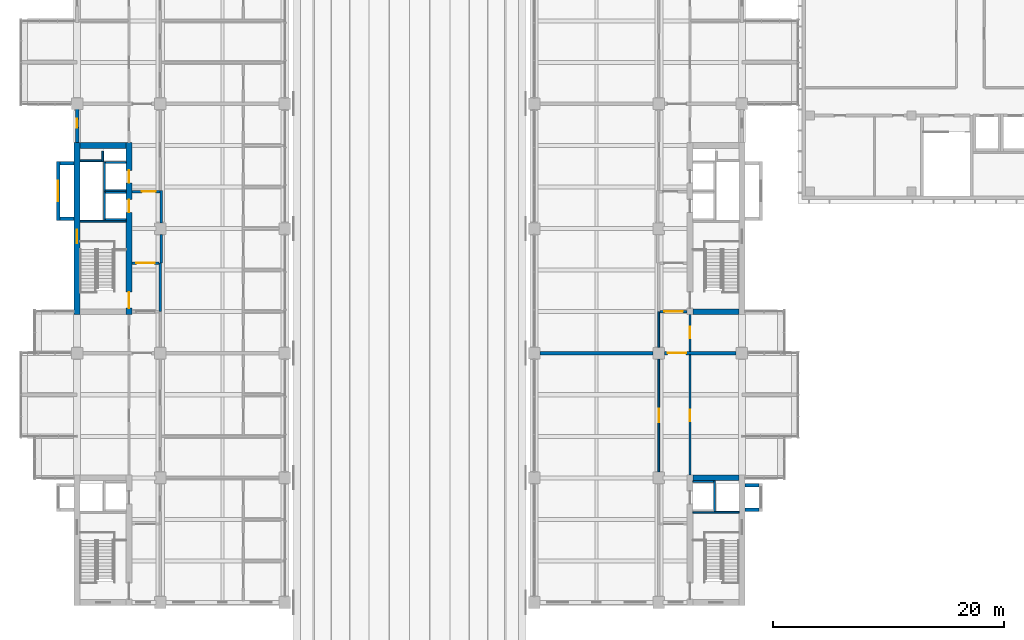
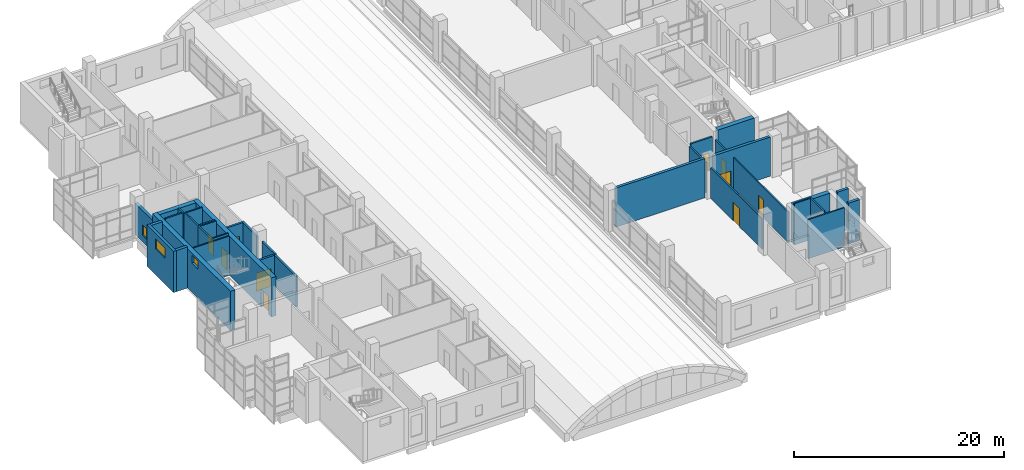
# One storey, part 32 of 45: 35 walls, 10 doors, 3 windows, 13 openings.
"""IFC4 building model written with IfcOpenShell, lengths in metres."""

from ifc_helpers import new_model, si_unit, direction, frame, frame_2d, origin, place, context, subcontext, project, spatial, rectangle, extrude, material, layer, layer_set, type_object, element, fill, save


model = new_model("IFC4")

# Units and contexts
model_context = context("Model", 3, precision=1e-05, world=origin(), true_north=direction((0.0, 1.0)))
body_context = subcontext(model_context, "Body", "Model", "MODEL_VIEW")
ifc_project = project(units=[si_unit("LENGTHUNIT", "METRE"), si_unit("AREAUNIT", "SQUARE_METRE"), si_unit("VOLUMEUNIT", "CUBIC_METRE"), si_unit("PLANEANGLEUNIT", "RADIAN"), si_unit("MASSUNIT", "GRAM", prefix="KILO")], contexts=[model_context])

# Site, building, storey
site_placement = place(None, origin())
site = spatial("IfcSite", under=ifc_project, at=site_placement, CompositionType="ELEMENT")
building_placement = place(site_placement, origin())
building = spatial("IfcBuilding", under=site, at=building_placement, Name="Basin Gate Institute", CompositionType="ELEMENT")
storey_placement = place(building_placement, frame((0.0, 0.0, 22.199951171875)))
storey = spatial("IfcBuildingStorey", under=building, at=storey_placement, Name="L04", CompositionType="ELEMENT", Elevation=22.199951171875)

# Wall, opening, door
ifc_material_1 = material(Name="Fire-rated masonry", Category="masonry")
ifc_layer_1 = layer(ifc_material_1, 0.199951171875)
ifc_layer_set_1 = layer_set([ifc_layer_1], Name="Enclosure wall PW2 200 EI 60")
wall_type_1 = type_object("IfcWallType", Name="Enclosure wall PW2 200 EI 60", PredefinedType="PARTITIONING", material=ifc_layer_set_1)
wall_1_placement = place(storey_placement, frame((65.949951171875, 64.5, 0.0), z_axis=(0.0, 0.0, 1.0), x_axis=(1.0, 0.0, 0.0)))
wall_1 = element("IfcWall", 1, at=wall_1_placement, inside=storey, type_object=wall_type_1, material=ifc_layer_set_1, Name="Smoke lobby enclosure wall PW2 L04", PredefinedType="PARTITIONING", context=body_context, shape_type="SweptSolid", body=[
    extrude(rectangle(XDim=2.35009765625, YDim=0.199951171875, at=frame_2d((1.175048828125, 0.0))), origin(), (0.0, 0.0, 1.0), 3.550048828125),
])
opening_1_placement = place(wall_1_placement, frame((0.375, 0.0, 0.0)))
opening_1 = element("IfcOpeningElement", 2, at=opening_1_placement, cuts=wall_1, Name="Opening DR241", PredefinedType="OPENING", context=body_context, shape_type="SweptSolid", body=[
    extrude(rectangle(XDim=1.60009765625, YDim=2.10009765625, at=frame_2d((0.800048828125, 1.050048828125))), frame((0.0, 0.10986328125, 0.0), z_axis=(0.0, -1.0, 0.0), x_axis=(1.0, 0.0, 0.0)), (0.0, 0.0, 1.0), 0.219970703125),
])
ifc_material_2 = material(Name="Steel fire door", Category="steel")
door_type_1 = type_object("IfcDoorType", Name="FD60 Smoke lobby door pair D8", OperationType="DOUBLE_DOOR_SINGLE_SWING", PredefinedType="DOOR", material=ifc_material_2)
door_1_placement = place(opening_1_placement, frame((1.60009765625, 0.0, 0.0), z_axis=(0.0, 0.0, 1.0), x_axis=(-1.0, 0.0, 0.0)))
door_1 = element("IfcDoor", 3, at=door_1_placement, inside=storey, type_object=door_type_1, material=ifc_material_2, Name="Smoke lobby door SS2 L04", OperationType="DOUBLE_DOOR_SINGLE_SWING", OverallHeight=2.10009765625, OverallWidth=1.60009765625, PredefinedType="DOOR", context=body_context, shape_type="SweptSolid", body=[
    extrude(rectangle(XDim=1.60009765625, YDim=2.10009765625, at=frame_2d((0.800048828125, 1.050048828125))), frame((0.0, 0.02490234375, 0.0), z_axis=(0.0, -1.0, 0.0), x_axis=(1.0, 0.0, 0.0)), (0.0, 0.0, 1.0), 0.050048828125),
])
fill(opening_1, door_1)

# Wall
wall_2_placement = place(storey_placement, frame((68.39990234375, 60.300048828125, 0.0), z_axis=(0.0, 0.0, 1.0), x_axis=(0.0, 1.0, 0.0)))
element("IfcWall", 4, at=wall_2_placement, inside=storey, type_object=wall_type_1, material=ifc_layer_set_1, Name="Smoke lobby enclosure wall PW2 L04", PredefinedType="PARTITIONING", context=body_context, shape_type="SweptSolid", body=[
    extrude(rectangle(XDim=4.199951171875, YDim=0.199951171875, at=frame_2d((2.10009765625, 0.0))), origin(), (0.0, 0.0, 1.0), 3.550048828125),
])

# Wall, opening, door
wall_3_placement = place(storey_placement, frame((65.949951171875, 70.699951171875, 0.0), z_axis=(0.0, 0.0, 1.0), x_axis=(1.0, 0.0, 0.0)))
wall_3 = element("IfcWall", 5, at=wall_3_placement, inside=storey, type_object=wall_type_1, material=ifc_layer_set_1, Name="Emergency lift lobby wall PW2 L04", PredefinedType="PARTITIONING", context=body_context, shape_type="SweptSolid", body=[
    extrude(rectangle(XDim=2.449951171875, YDim=0.199951171875, at=frame_2d((1.22509765625, 0.0))), origin(), (0.0, 0.0, 1.0), 3.550048828125),
])
opening_2_placement = place(wall_3_placement, frame((0.85009765625, 0.0, 0.0)))
opening_2 = element("IfcOpeningElement", 6, at=opening_2_placement, cuts=wall_3, Name="Opening DR238", PredefinedType="OPENING", context=body_context, shape_type="SweptSolid", body=[
    extrude(rectangle(XDim=1.199951171875, YDim=2.10009765625, at=frame_2d((0.60009765625, 1.050048828125))), frame((0.0, 0.10986328125, 0.0), z_axis=(0.0, -1.0, 0.0), x_axis=(1.0, 0.0, 0.0)), (0.0, 0.0, 1.0), 0.219970703125),
])
ifc_material_3 = material(Name="Steel fire door", Category="steel")
door_type_2 = type_object("IfcDoorType", Name="FD60 Emergency lift lobby door D9", OperationType="NOTDEFINED", PredefinedType="DOOR", material=ifc_material_3)
door_2_placement = place(opening_2_placement, frame((1.199951171875, 0.0, 0.0), z_axis=(0.0, 0.0, 1.0), x_axis=(-1.0, 0.0, 0.0)))
door_2 = element("IfcDoor", 7, at=door_2_placement, inside=storey, type_object=door_type_2, material=ifc_material_3, Name="Emergency lift lobby door LF1 L04", OperationType="SINGLE_SWING_LEFT", OverallHeight=2.10009765625, OverallWidth=1.199951171875, PredefinedType="DOOR", context=body_context, shape_type="SweptSolid", body=[
    extrude(rectangle(XDim=1.199951171875, YDim=2.10009765625, at=frame_2d((0.60009765625, 1.050048828125))), frame((0.0, 0.02490234375, 0.0), z_axis=(0.0, -1.0, 0.0), x_axis=(1.0, 0.0, 0.0)), (0.0, 0.0, 1.0), 0.050048828125),
])
fill(opening_2, door_2)

# Walls
wall_4_placement = place(storey_placement, frame((68.5, 64.5, 0.0), z_axis=(0.0, 0.0, 1.0), x_axis=(0.0, 1.0, 0.0)))
element("IfcWall", 8, at=wall_4_placement, inside=storey, type_object=wall_type_1, material=ifc_layer_set_1, Name="Emergency lift lobby wall PW2 L04", PredefinedType="PARTITIONING", context=body_context, shape_type="SweptSolid", body=[
    extrude(rectangle(XDim=2.5, YDim=0.199951171875, at=frame_2d((1.25, 0.0))), origin(), (0.0, 0.0, 1.0), 3.550048828125),
])
wall_5_placement = place(storey_placement, frame((68.5, 68.0, 0.0), z_axis=(0.0, 0.0, 1.0), x_axis=(0.0, 1.0, 0.0)))
element("IfcWall", 9, at=wall_5_placement, inside=storey, type_object=wall_type_1, material=ifc_layer_set_1, Name="Emergency lift lobby wall PW2 L04", PredefinedType="PARTITIONING", context=body_context, shape_type="SweptSolid", body=[
    extrude(rectangle(XDim=2.800048828125, YDim=0.199951171875, at=frame_2d((1.39990234375, 0.0))), origin(), (0.0, 0.0, 1.0), 3.550048828125),
])

# Wall, opening, door
wall_6_placement = place(storey_placement, frame((114.050048828125, 60.300048828125, 0.0), z_axis=(0.0, 0.0, 1.0), x_axis=(-1.0, 0.0, 0.0)))
wall_6 = element("IfcWall", 10, at=wall_6_placement, inside=storey, type_object=wall_type_1, material=ifc_layer_set_1, Name="Smoke lobby enclosure wall PW2 L04", PredefinedType="PARTITIONING", context=body_context, shape_type="SweptSolid", body=[
    extrude(rectangle(XDim=2.35009765625, YDim=0.199951171875, at=frame_2d((1.175048828125, 0.0))), origin(), (0.0, 0.0, 1.0), 3.85009765625),
])
opening_3_placement = place(wall_6_placement, frame((0.375, 0.0, 0.0)))
opening_3 = element("IfcOpeningElement", 11, at=opening_3_placement, cuts=wall_6, Name="Opening DR207", PredefinedType="OPENING", context=body_context, shape_type="SweptSolid", body=[
    extrude(rectangle(XDim=1.60009765625, YDim=2.10009765625, at=frame_2d((0.800048828125, 1.050048828125))), frame((0.0, 0.10986328125, 0.0), z_axis=(0.0, -1.0, 0.0), x_axis=(1.0, 0.0, 0.0)), (0.0, 0.0, 1.0), 0.219970703125),
])
door_3_placement = place(opening_3_placement, frame((1.60009765625, 0.0, 0.0), z_axis=(0.0, 0.0, 1.0), x_axis=(-1.0, 0.0, 0.0)))
door_3 = element("IfcDoor", 12, at=door_3_placement, inside=storey, type_object=door_type_1, material=ifc_material_2, Name="Smoke lobby door SS5 L04", OperationType="DOUBLE_DOOR_SINGLE_SWING", OverallHeight=2.10009765625, OverallWidth=1.60009765625, PredefinedType="DOOR", context=body_context, shape_type="SweptSolid", body=[
    extrude(rectangle(XDim=1.60009765625, YDim=2.10009765625, at=frame_2d((0.800048828125, 1.050048828125))), frame((0.0, 0.02490234375, 0.0), z_axis=(0.0, -1.0, 0.0), x_axis=(1.0, 0.0, 0.0)), (0.0, 0.0, 1.0), 0.050048828125),
])
fill(opening_3, door_3)

# Wall, opening, window
ifc_material_4 = material(Name="Aluminium-faced insulated panel wall", Category="aluminium")
ifc_layer_2 = layer(ifc_material_4, 0.300048828125)
ifc_layer_set_2 = layer_set([ifc_layer_2], Name="External wall EW1 EI 120")
wall_type_2 = type_object("IfcWallType", Name="External wall EW1 EI 120", PredefinedType="STANDARD", material=ifc_layer_set_2)
wall_7_placement = place(storey_placement, frame((61.199951171875, 74.949951171875, 0.0), z_axis=(0.0, 0.0, 1.0), x_axis=(0.0, 1.0, 0.0)))
wall_7 = element("IfcWall", 13, at=wall_7_placement, inside=storey, type_object=wall_type_2, material=ifc_layer_set_2, Name="External wall W facade L04 1", PredefinedType="STANDARD", context=body_context, shape_type="SweptSolid", body=[
    extrude(rectangle(XDim=3.5, YDim=0.300048828125, at=frame_2d((1.75, 0.0))), origin(), (0.0, 0.0, 1.0), 3.650146484375),
])
opening_4_placement = place(wall_7_placement, frame((1.300048828125, 0.0, 0.800048828125)))
opening_4 = element("IfcOpeningElement", 14, at=opening_4_placement, cuts=wall_7, Name="Opening WN3", PredefinedType="OPENING", context=body_context, shape_type="SweptSolid", body=[
    extrude(rectangle(XDim=0.75, YDim=1.199951171875, at=frame_2d((0.375, 0.60009765625))), frame((0.0, 0.16015625, 0.0), z_axis=(0.0, -1.0, 0.0), x_axis=(1.0, 0.0, 0.0)), (0.0, 0.0, 1.0), 0.320068359375),
])
ifc_material_5 = material(Name="Aluminium-framed double glazing", Category="aluminium")
window_type_1 = type_object("IfcWindowType", Name="Emergency entry panel WN3", PartitioningType="SINGLE_PANEL", PredefinedType="WINDOW", material=ifc_material_5)
window_1_placement = place(opening_4_placement, origin())
window_1 = element("IfcWindow", 15, at=window_1_placement, inside=storey, type_object=window_type_1, material=ifc_material_5, Name="Emergency entry panel W facade L04 bay 12", OverallHeight=1.199951171875, OverallWidth=0.75, PartitioningType="SINGLE_PANEL", PredefinedType="WINDOW", context=body_context, shape_type="SweptSolid", body=[
    extrude(rectangle(XDim=0.75, YDim=1.199951171875, at=frame_2d((0.375, 0.60009765625))), frame((0.0, 0.030029296875, 0.0), z_axis=(0.0, -1.0, 0.0), x_axis=(1.0, 0.0, 0.0)), (0.0, 0.0, 1.0), 0.06005859375),
])
fill(opening_4, window_1)

# Wall, opening, door
ifc_material_6 = material(Name="Gypsum board on steel stud", Category="steel")
ifc_layer_3 = layer(ifc_material_6, 0.14990234375)
ifc_layer_set_3 = layer_set([ifc_layer_3], Name="Gypsum board on steel stud")
wall_type_3 = type_object("IfcWallType", Name="Partition PW1 150 EI 60", PredefinedType="PARTITIONING", material=ifc_layer_set_3)
wall_8_placement = place(storey_placement, frame((114.300048828125, 46.14990234375, 0.0), z_axis=(0.0, 0.0, 1.0), x_axis=(0.0, 1.0, 0.0)))
wall_8 = element("IfcWall", 16, at=wall_8_placement, inside=storey, type_object=wall_type_3, material=ifc_layer_set_3, Name="Corridor wall PW1 L04", PredefinedType="PARTITIONING", context=body_context, shape_type="SweptSolid", body=[
    extrude(rectangle(XDim=10.400146484375, YDim=0.14990234375, at=frame_2d((5.2001953125, 0.0))), origin(), (0.0, 0.0, 1.0), 3.550048828125),
])
opening_5_placement = place(wall_8_placement, frame((4.64990234375, 0.0, 0.0)))
opening_5 = element("IfcOpeningElement", 17, at=opening_5_placement, cuts=wall_8, Name="Opening DR201", PredefinedType="OPENING", context=body_context, shape_type="SweptSolid", body=[
    extrude(rectangle(XDim=1.0, YDim=2.10009765625, at=frame_2d((0.5, 1.050048828125))), frame((0.0, 0.0849609375, 0.0), z_axis=(0.0, -1.0, 0.0), x_axis=(1.0, 0.0, 0.0)), (0.0, 0.0, 1.0), 0.169921875),
])
ifc_material_7 = material(Name="Timber fire door", Category="wood")
door_type_3 = type_object("IfcDoorType", Name="FD30 Office door D1", OperationType="NOTDEFINED", PredefinedType="DOOR", material=ifc_material_7)
door_4_placement = place(opening_5_placement, frame((1.0, 0.0, 0.0), z_axis=(0.0, 0.0, 1.0), x_axis=(-1.0, 0.0, 0.0)))
door_4 = element("IfcDoor", 18, at=door_4_placement, inside=storey, type_object=door_type_3, material=ifc_material_7, Name="Door to Library Carrel Room 0451 L04", OperationType="SINGLE_SWING_RIGHT", OverallHeight=2.10009765625, OverallWidth=1.0, PredefinedType="DOOR", context=body_context, shape_type="SweptSolid", body=[
    extrude(rectangle(XDim=1.0, YDim=2.10009765625, at=frame_2d((0.5, 1.050048828125))), frame((0.0, 0.02490234375, 0.0), z_axis=(0.0, -1.0, 0.0), x_axis=(1.0, 0.0, 0.0)), (0.0, 0.0, 1.0), 0.050048828125),
])
fill(opening_5, door_4)

wall_9_placement = place(storey_placement, frame((114.300048828125, 56.85009765625, 0.0), z_axis=(0.0, 0.0, 1.0), x_axis=(0.0, 1.0, 0.0)))
wall_9 = element("IfcWall", 19, at=wall_9_placement, inside=storey, type_object=wall_type_3, material=ifc_layer_set_3, Name="Corridor wall PW1 L04", PredefinedType="PARTITIONING", context=body_context, shape_type="SweptSolid", body=[
    extrude(rectangle(XDim=3.199951171875, YDim=0.14990234375, at=frame_2d((1.60009765625, 0.0))), origin(), (0.0, 0.0, 1.0), 3.550048828125),
])
opening_6_placement = place(wall_9_placement, frame((1.14990234375, 0.0, 0.0)))
opening_6 = element("IfcOpeningElement", 20, at=opening_6_placement, cuts=wall_9, Name="Opening DR203", PredefinedType="OPENING", context=body_context, shape_type="SweptSolid", body=[
    extrude(rectangle(XDim=1.0, YDim=2.10009765625, at=frame_2d((0.5, 1.050048828125))), frame((0.0, 0.0849609375, 0.0), z_axis=(0.0, -1.0, 0.0), x_axis=(1.0, 0.0, 0.0)), (0.0, 0.0, 1.0), 0.169921875),
])
door_5_placement = place(opening_6_placement, frame((1.0, 0.0, 0.0), z_axis=(0.0, 0.0, 1.0), x_axis=(-1.0, 0.0, 0.0)))
door_5 = element("IfcDoor", 21, at=door_5_placement, inside=storey, type_object=door_type_3, material=ifc_material_7, Name="Door to Write-up Office 0452 L04", OperationType="SINGLE_SWING_LEFT", OverallHeight=2.10009765625, OverallWidth=1.0, PredefinedType="DOOR", context=body_context, shape_type="SweptSolid", body=[
    extrude(rectangle(XDim=1.0, YDim=2.10009765625, at=frame_2d((0.5, 1.050048828125))), frame((0.0, 0.02490234375, 0.0), z_axis=(0.0, -1.0, 0.0), x_axis=(1.0, 0.0, 0.0)), (0.0, 0.0, 1.0), 0.050048828125),
])
fill(opening_6, door_5)

wall_10_placement = place(storey_placement, frame((111.60009765625, 46.39990234375, 0.0), z_axis=(0.0, 0.0, 1.0), x_axis=(0.0, 1.0, 0.0)))
wall_10 = element("IfcWall", 22, at=wall_10_placement, inside=storey, type_object=wall_type_3, material=ifc_layer_set_3, Name="Laboratory corridor wall PW1 L04", PredefinedType="PARTITIONING", context=body_context, shape_type="SweptSolid", body=[
    extrude(rectangle(XDim=9.800048828125, YDim=0.14990234375, at=frame_2d((4.89990234375, 0.0))), origin(), (0.0, 0.0, 1.0), 3.550048828125),
])
opening_7_placement = place(wall_10_placement, frame((4.300048828125, 0.0, 0.0)))
opening_7 = element("IfcOpeningElement", 23, at=opening_7_placement, cuts=wall_10, Name="Opening DR197", PredefinedType="OPENING", context=body_context, shape_type="SweptSolid", body=[
    extrude(rectangle(XDim=1.199951171875, YDim=2.10009765625, at=frame_2d((0.60009765625, 1.050048828125))), frame((0.0, 0.0849609375, 0.0), z_axis=(0.0, -1.0, 0.0), x_axis=(1.0, 0.0, 0.0)), (0.0, 0.0, 1.0), 0.169921875),
])
ifc_material_8 = material(Name="Timber fire door", Category="wood")
door_type_4 = type_object("IfcDoorType", Name="FD30 Laboratory door D2", OperationType="DOUBLE_DOOR_SINGLE_SWING", PredefinedType="DOOR", material=ifc_material_8)
door_6_placement = place(opening_7_placement, origin())
door_6 = element("IfcDoor", 24, at=door_6_placement, inside=storey, type_object=door_type_4, material=ifc_material_8, Name="Door to Dry Laboratory 0464 L04", OperationType="DOUBLE_DOOR_SINGLE_SWING", OverallHeight=2.10009765625, OverallWidth=1.199951171875, PredefinedType="DOOR", context=body_context, shape_type="SweptSolid", body=[
    extrude(rectangle(XDim=1.199951171875, YDim=2.10009765625, at=frame_2d((0.60009765625, 1.050048828125))), frame((0.0, 0.02490234375, 0.0), z_axis=(0.0, -1.0, 0.0), x_axis=(1.0, 0.0, 0.0)), (0.0, 0.0, 1.0), 0.050048828125),
])
fill(opening_7, door_6)

# Walls
wall_11_placement = place(storey_placement, frame((111.60009765625, 57.199951171875, 0.0), z_axis=(0.0, 0.0, 1.0), x_axis=(0.0, 1.0, 0.0)))
element("IfcWall", 25, at=wall_11_placement, inside=storey, type_object=wall_type_3, material=ifc_layer_set_3, Name="Laboratory corridor wall PW1 L04", PredefinedType="PARTITIONING", context=body_context, shape_type="SweptSolid", body=[
    extrude(rectangle(XDim=3.10009765625, YDim=0.14990234375, at=frame_2d((1.550048828125, 0.0))), origin(), (0.0, 0.0, 1.0), 3.550048828125),
])
ifc_material_9 = material(Name="Concrete 40 MPa", Category="concrete")
ifc_layer_4 = layer(ifc_material_9, 0.14990234375)
ifc_layer_set_4 = layer_set([ifc_layer_4], Name="Concrete 40 MPa")
wall_type_4 = type_object("IfcWallType", Name="Wall LS1 lift shaft enclosure R120", PredefinedType="SOLIDWALL", material=ifc_layer_set_4)
wall_12_placement = place(storey_placement, frame((63.574951171875, 68.199951171875, 0.0), z_axis=(0.0, 0.0, 1.0), x_axis=(0.0, 1.0, 0.0)))
element("IfcWall", 26, at=wall_12_placement, inside=storey, type_object=wall_type_4, material=ifc_layer_set_4, Name="Lift shaft enclosure LF1 L04 UL", PredefinedType="SOLIDWALL", context=body_context, shape_type="SweptSolid", body=[
    extrude(rectangle(XDim=2.5, YDim=0.14990234375, at=frame_2d((1.25, 0.0))), origin(), (0.0, 0.0, 1.0), 4.800048828125),
])
for number, where, z_axis, x_axis, name in (
    (27, (63.64990234375, 68.27490234375, 0.0), (0.0, 0.0, 1.0), (1.0, 0.0, 0.0), "Lift shaft enclosure LF1 L04 RL"),
    (28, (63.64990234375, 70.625, 0.0), (0.0, 0.0, 1.0), (1.0, 0.0, 0.0), "Lift shaft enclosure LF1 L04 RH"),
):
    element("IfcWall", number, at=place(storey_placement, frame(where, z_axis=z_axis, x_axis=x_axis)), inside=storey, type_object=wall_type_4, material=ifc_layer_set_4, Name=name, PredefinedType="SOLIDWALL", context=body_context, shape_type="SweptSolid", body=[
        extrude(rectangle(XDim=1.800048828125, YDim=0.14990234375, at=frame_2d((0.89990234375, 0.0))), origin(), (0.0, 0.0, 1.0), 4.800048828125),
    ])
wall_13_placement = place(storey_placement, frame((63.574951171875, 70.699951171875, 0.0), z_axis=(0.0, 0.0, 1.0), x_axis=(0.0, 1.0, 0.0)))
element("IfcWall", 29, at=wall_13_placement, inside=storey, type_object=wall_type_4, material=ifc_layer_set_4, Name="Lift shaft enclosure LP2 L04 UL", PredefinedType="SOLIDWALL", context=body_context, shape_type="SweptSolid", body=[
    extrude(rectangle(XDim=2.60009765625, YDim=0.14990234375, at=frame_2d((1.300048828125, 0.0))), origin(), (0.0, 0.0, 1.0), 4.800048828125),
])
for number, where, z_axis, x_axis, name in (
    (30, (63.64990234375, 70.77490234375, 0.0), (0.0, 0.0, 1.0), (1.0, 0.0, 0.0), "Lift shaft enclosure LP2 L04 RL"),
    (31, (63.64990234375, 73.22509765625, 0.0), (0.0, 0.0, 1.0), (1.0, 0.0, 0.0), "Lift shaft enclosure LP2 L04 RH"),
):
    element("IfcWall", number, at=place(storey_placement, frame(where, z_axis=z_axis, x_axis=x_axis)), inside=storey, type_object=wall_type_4, material=ifc_layer_set_4, Name=name, PredefinedType="SOLIDWALL", context=body_context, shape_type="SweptSolid", body=[
        extrude(rectangle(XDim=1.800048828125, YDim=0.14990234375, at=frame_2d((0.89990234375, 0.0))), origin(), (0.0, 0.0, 1.0), 4.800048828125),
    ])
wall_14_placement = place(storey_placement, frame((116.425048828125, 43.0, 0.0), z_axis=(0.0, 0.0, 1.0), x_axis=(0.0, 1.0, 0.0)))
element("IfcWall", 32, at=wall_14_placement, inside=storey, type_object=wall_type_4, material=ifc_layer_set_4, Name="Lift shaft enclosure LP4 L04 UL", PredefinedType="SOLIDWALL", context=body_context, shape_type="SweptSolid", body=[
    extrude(rectangle(XDim=2.64990234375, YDim=0.14990234375, at=frame_2d((1.324951171875, 0.0))), origin(), (0.0, 0.0, 1.0), 4.800048828125),
])
wall_15_placement = place(storey_placement, frame((116.35009765625, 45.574951171875, 0.0), z_axis=(0.0, 0.0, 1.0), x_axis=(-1.0, 0.0, 0.0)))
element("IfcWall", 33, at=wall_15_placement, inside=storey, type_object=wall_type_4, material=ifc_layer_set_4, Name="Lift shaft enclosure LP4 L04 RH", PredefinedType="SOLIDWALL", context=body_context, shape_type="SweptSolid", body=[
    extrude(rectangle(XDim=1.800048828125, YDim=0.14990234375, at=frame_2d((0.89990234375, 0.0))), origin(), (0.0, 0.0, 1.0), 4.800048828125),
])
ifc_material_10 = material(Name="Concrete 40 MPa", Category="concrete")
ifc_layer_5 = layer(ifc_material_10, 0.14990234375)
ifc_layer_set_5 = layer_set([ifc_layer_5], Name="Concrete 40 MPa")
wall_type_5 = type_object("IfcWallType", Name="Wall RS1 riser shaft enclosure R120", PredefinedType="SOLIDWALL", material=ifc_layer_set_5)
wall_16_placement = place(storey_placement, frame((61.449951171875, 73.375, 0.0), z_axis=(0.0, 0.0, 1.0), x_axis=(1.0, 0.0, 0.0)))
element("IfcWall", 34, at=wall_16_placement, inside=storey, type_object=wall_type_5, material=ifc_layer_set_5, Name="Riser shaft enclosure WM L04 N", PredefinedType="SOLIDWALL", context=body_context, shape_type="SweptSolid", body=[
    extrude(rectangle(XDim=1.900146484375, YDim=0.14990234375, at=frame_2d((0.9501953125, 0.0))), origin(), (0.0, 0.0, 1.0), 4.800048828125),
])
wall_17_placement = place(storey_placement, frame((63.425048828125, 73.300048828125, 0.0), z_axis=(0.0, 0.0, 1.0), x_axis=(0.0, 1.0, 0.0)))
element("IfcWall", 35, at=wall_17_placement, inside=storey, type_object=wall_type_5, material=ifc_layer_set_5, Name="Riser shaft enclosure WM L04 W", PredefinedType="SOLIDWALL", context=body_context, shape_type="SweptSolid", body=[
    extrude(rectangle(XDim=0.89990234375, YDim=0.14990234375, at=frame_2d((0.449951171875, 0.0))), origin(), (0.0, 0.0, 1.0), 4.800048828125),
])
ifc_material_11 = material(Name="Concrete 40 MPa", Category="concrete")
ifc_layer_6 = layer(ifc_material_11, 0.14990234375)
ifc_layer_set_6 = layer_set([ifc_layer_6], Name="Concrete 40 MPa")
wall_type_6 = type_object("IfcWallType", Name="Wall SE1 stair enclosure R120", PredefinedType="SOLIDWALL", material=ifc_layer_set_6)
for number, where, z_axis, x_axis, name in (
    (36, (61.449951171875, 68.125, 0.0), (0.0, 0.0, 1.0), (1.0, 0.0, 0.0), "Stair enclosure wall ST-WM L04"),
    (37, (118.550048828125, 42.925048828125, 0.0), (0.0, 0.0, 1.0), (-1.0, 0.0, 0.0), "Stair enclosure wall ST-ES L04"),
):
    element("IfcWall", number, at=place(storey_placement, frame(where, z_axis=z_axis, x_axis=x_axis)), inside=storey, type_object=wall_type_6, material=ifc_layer_set_6, Name=name, PredefinedType="SOLIDWALL", context=body_context, shape_type="SweptSolid", body=[
        extrude(rectangle(XDim=4.0, YDim=0.14990234375, at=frame_2d((2.0, 0.0))), origin(), (0.0, 0.0, 1.0), 4.550048828125),
    ])

# Wall, opening, window
ifc_material_12 = material(Name="Concrete 50 MPa", Category="concrete")
ifc_layer_7 = layer(ifc_material_12, 0.300048828125)
ifc_layer_set_7 = layer_set([ifc_layer_7], Name="Concrete 50 MPa")
wall_type_7 = type_object("IfcWallType", Name="Wall SK1 R120", PredefinedType="SHEAR", material=ifc_layer_set_7)
wall_18_placement = place(storey_placement, frame((59.550048828125, 68.199951171875, 0.0), z_axis=(0.0, 0.0, 1.0), x_axis=(0.0, 1.0, 0.0)))
wall_18 = element("IfcWall", 38, at=wall_18_placement, inside=storey, type_object=wall_type_7, material=ifc_layer_set_7, Name="Spine riser stack wall SK1 WM F L04", PredefinedType="SHEAR", context=body_context, shape_type="SweptSolid", body=[
    extrude(rectangle(XDim=5.10009765625, YDim=0.300048828125, at=frame_2d((2.550048828125, 0.0))), origin(), (0.0, 0.0, 1.0), 4.800048828125),
])
opening_8_placement = place(wall_18_placement, frame((1.64990234375, 0.0, 3.0)))
opening_8 = element("IfcOpeningElement", 39, at=opening_8_placement, cuts=wall_18, Name="Opening WL2", PredefinedType="OPENING", context=body_context, shape_type="SweptSolid", body=[
    extrude(rectangle(XDim=1.800048828125, YDim=1.199951171875, at=frame_2d((0.89990234375, 0.60009765625))), frame((0.0, 0.16015625, 0.0), z_axis=(0.0, -1.0, 0.0), x_axis=(1.0, 0.0, 0.0)), (0.0, 0.0, 1.0), 0.320068359375),
])
ifc_material_13 = material(Name="Aluminium louvre blades with fire damper", Category="aluminium")
window_type_2 = type_object("IfcWindowType", Name="Riser louvre EI 120 WL2", PartitioningType="SINGLE_PANEL", PredefinedType="WINDOW", material=ifc_material_13)
window_2_placement = place(opening_8_placement, origin())
window_2 = element("IfcWindow", 40, at=window_2_placement, inside=storey, type_object=window_type_2, material=ifc_material_13, Name="Riser louvre EI 120 WM riser 1 L04", OverallHeight=1.199951171875, OverallWidth=1.800048828125, PartitioningType="SINGLE_PANEL", PredefinedType="WINDOW", context=body_context, shape_type="SweptSolid", body=[
    extrude(rectangle(XDim=1.800048828125, YDim=1.199951171875, at=frame_2d((0.89990234375, 0.60009765625))), frame((0.0, 0.030029296875, 0.0), z_axis=(0.0, -1.0, 0.0), x_axis=(1.0, 0.0, 0.0)), (0.0, 0.0, 1.0), 0.06005859375),
])
fill(opening_8, window_2)

# Walls
for number, where, z_axis, x_axis, name in (
    (41, (60.949951171875, 68.35009765625, 0.0), (0.0, 0.0, 1.0), (-1.0, 0.0, 0.0), "Spine riser stack wall SK1 WM A L04"),
    (42, (60.949951171875, 73.14990234375, 0.0), (0.0, 0.0, 1.0), (-1.0, 0.0, 0.0), "Spine riser stack wall SK1 WM B L04"),
    (43, (119.050048828125, 43.14990234375, 0.0), (0.0, 0.0, 1.0), (1.0, 0.0, 0.0), "Spine riser stack wall SK1 ES A L04"),
    (44, (119.050048828125, 45.25, 0.0), (0.0, 0.0, 1.0), (1.0, 0.0, 0.0), "Spine riser stack wall SK1 ES B L04"),
):
    element("IfcWall", number, at=place(storey_placement, frame(where, z_axis=z_axis, x_axis=x_axis)), inside=storey, type_object=wall_type_7, material=ifc_layer_set_7, Name=name, PredefinedType="SHEAR", context=body_context, shape_type="SweptSolid", body=[
        extrude(rectangle(XDim=1.25, YDim=0.300048828125, at=frame_2d((0.625, 0.0))), origin(), (0.0, 0.0, 1.0), 4.800048828125),
    ])

# Wall, opening, window
ifc_material_14 = material(Name="Concrete 60 MPa", Category="concrete")
ifc_layer_8 = layer(ifc_material_14, 0.5)
ifc_layer_set_8 = layer_set([ifc_layer_8], Name="Concrete 60 MPa")
wall_type_8 = type_object("IfcWallType", Name="Wall SW1 R120", PredefinedType="SHEAR", material=ifc_layer_set_8)
wall_19_placement = place(storey_placement, frame((61.199951171875, 60.050048828125, 0.0), z_axis=(0.0, 0.0, 1.0), x_axis=(0.0, 1.0, 0.0)))
wall_19 = element("IfcWall", 45, at=wall_19_placement, inside=storey, type_object=wall_type_8, material=ifc_layer_set_8, Name="WALL/L04/WM/L", PredefinedType="SHEAR", context=body_context, shape_type="SweptSolid", body=[
    extrude(rectangle(XDim=14.89990234375, YDim=0.5, at=frame_2d((7.449951171875, 0.0))), origin(), (0.0, 0.0, 1.0), 4.550048828125),
])
opening_9_placement = place(wall_19_placement, frame((6.159912109375, 0.0, 3.39990234375)))
opening_9 = element("IfcOpeningElement", 46, at=opening_9_placement, cuts=wall_19, Name="Opening WT2", PredefinedType="OPENING", context=body_context, shape_type="SweptSolid", body=[
    extrude(rectangle(XDim=1.199951171875, YDim=0.89990234375, at=frame_2d((0.60009765625, 0.449951171875))), frame((0.0, 0.260009765625, 0.0), z_axis=(0.0, -1.0, 0.0), x_axis=(1.0, 0.0, 0.0)), (0.0, 0.0, 1.0), 0.52001953125),
])
ifc_material_15 = material(Name="Fire-resistant glazing in steel-free frame", Category="steel")
window_type_3 = type_object("IfcWindowType", Name="Rated stair window EI 120 WT2", PartitioningType="SINGLE_PANEL", PredefinedType="WINDOW", material=ifc_material_15)
window_3_placement = place(opening_9_placement, origin())
window_3 = element("IfcWindow", 47, at=window_3_placement, inside=storey, type_object=window_type_3, material=ifc_material_15, Name="Rated stair window EI 120 WM landing L04", OverallHeight=0.89990234375, OverallWidth=1.199951171875, PartitioningType="SINGLE_PANEL", PredefinedType="WINDOW", context=body_context, shape_type="SweptSolid", body=[
    extrude(rectangle(XDim=1.199951171875, YDim=0.89990234375, at=frame_2d((0.60009765625, 0.449951171875))), frame((0.0, 0.030029296875, 0.0), z_axis=(0.0, -1.0, 0.0), x_axis=(1.0, 0.0, 0.0)), (0.0, 0.0, 1.0), 0.06005859375),
])
fill(opening_9, window_3)

# Wall, openings, doors
wall_20_placement = place(storey_placement, frame((65.699951171875, 60.050048828125, 0.0), z_axis=(0.0, 0.0, 1.0), x_axis=(0.0, 1.0, 0.0)))
wall_20 = element("IfcWall", 48, at=wall_20_placement, inside=storey, type_object=wall_type_8, material=ifc_layer_set_8, Name="WALL/L04/WM/C", PredefinedType="SHEAR", context=body_context, shape_type="SweptSolid", body=[
    extrude(rectangle(XDim=14.89990234375, YDim=0.5, at=frame_2d((7.449951171875, 0.0))), origin(), (0.0, 0.0, 1.0), 4.550048828125),
])
opening_10_placement = place(wall_20_placement, frame((0.550048828125, 0.0, 0.0)))
opening_10 = element("IfcOpeningElement", 49, at=opening_10_placement, cuts=wall_20, Name="Opening DS026", PredefinedType="OPENING", context=body_context, shape_type="SweptSolid", body=[
    extrude(rectangle(XDim=1.39990234375, YDim=2.10009765625, at=frame_2d((0.699951171875, 1.050048828125))), frame((0.0, 0.260009765625, 0.0), z_axis=(0.0, -1.0, 0.0), x_axis=(1.0, 0.0, 0.0)), (0.0, 0.0, 1.0), 0.52001953125),
])
opening_11_placement = place(wall_20_placement, frame((8.85009765625, 0.0, 0.0)))
opening_11 = element("IfcOpeningElement", 50, at=opening_11_placement, cuts=wall_20, Name="Opening LD024", PredefinedType="OPENING", context=body_context, shape_type="SweptSolid", body=[
    extrude(rectangle(XDim=1.10009765625, YDim=2.10009765625, at=frame_2d((0.550048828125, 1.050048828125))), frame((0.0, 0.260009765625, 0.0), z_axis=(0.0, -1.0, 0.0), x_axis=(1.0, 0.0, 0.0)), (0.0, 0.0, 1.0), 0.52001953125),
])
opening_12_placement = place(wall_20_placement, frame((11.39990234375, 0.0, 0.0)))
opening_12 = element("IfcOpeningElement", 51, at=opening_12_placement, cuts=wall_20, Name="Opening LD042", PredefinedType="OPENING", context=body_context, shape_type="SweptSolid", body=[
    extrude(rectangle(XDim=1.10009765625, YDim=2.10009765625, at=frame_2d((0.550048828125, 1.050048828125))), frame((0.0, 0.260009765625, 0.0), z_axis=(0.0, -1.0, 0.0), x_axis=(1.0, 0.0, 0.0)), (0.0, 0.0, 1.0), 0.52001953125),
])
ifc_material_16 = material(Name="Steel fire door", Category="steel")
door_type_5 = type_object("IfcDoorType", Name="FD30 Stair enclosure door DS", OperationType="DOUBLE_DOOR_SINGLE_SWING", PredefinedType="DOOR", material=ifc_material_16)
door_7_placement = place(opening_10_placement, origin())
door_7 = element("IfcDoor", 52, at=door_7_placement, inside=storey, type_object=door_type_5, material=ifc_material_16, Name="Stair enclosure door ST-WM L04", OperationType="DOUBLE_DOOR_SINGLE_SWING", OverallHeight=2.10009765625, OverallWidth=1.39990234375, PredefinedType="DOOR", context=body_context, shape_type="SweptSolid", body=[
    extrude(rectangle(XDim=1.39990234375, YDim=2.10009765625, at=frame_2d((0.699951171875, 1.050048828125))), frame((0.0, 0.02490234375, 0.0), z_axis=(0.0, -1.0, 0.0), x_axis=(1.0, 0.0, 0.0)), (0.0, 0.0, 1.0), 0.050048828125),
])
fill(opening_10, door_7)
ifc_material_17 = material(Name="Stainless steel", Category="steel")
door_type_6 = type_object("IfcDoorType", Name="FD60 Lift landing door LD", OperationType="SLIDING_TO_LEFT", PredefinedType="DOOR", material=ifc_material_17)
door_8_placement = place(opening_11_placement, origin())
door_8 = element("IfcDoor", 53, at=door_8_placement, inside=storey, type_object=door_type_6, material=ifc_material_17, Name="Lift landing door LF1 L04", OperationType="SLIDING_TO_LEFT", OverallHeight=2.10009765625, OverallWidth=1.10009765625, PredefinedType="DOOR", context=body_context, shape_type="SweptSolid", body=[
    extrude(rectangle(XDim=1.10009765625, YDim=2.10009765625, at=frame_2d((0.550048828125, 1.050048828125))), frame((0.0, 0.02490234375, 0.0), z_axis=(0.0, -1.0, 0.0), x_axis=(1.0, 0.0, 0.0)), (0.0, 0.0, 1.0), 0.050048828125),
])
fill(opening_11, door_8)
door_9_placement = place(opening_12_placement, origin())
door_9 = element("IfcDoor", 54, at=door_9_placement, inside=storey, type_object=door_type_6, material=ifc_material_17, Name="Lift landing door LP2 L04", OperationType="SLIDING_TO_LEFT", OverallHeight=2.10009765625, OverallWidth=1.10009765625, PredefinedType="DOOR", context=body_context, shape_type="SweptSolid", body=[
    extrude(rectangle(XDim=1.10009765625, YDim=2.10009765625, at=frame_2d((0.550048828125, 1.050048828125))), frame((0.0, 0.02490234375, 0.0), z_axis=(0.0, -1.0, 0.0), x_axis=(1.0, 0.0, 0.0)), (0.0, 0.0, 1.0), 0.050048828125),
])
fill(opening_12, door_9)

# Walls
for number, where, z_axis, x_axis, name in (
    (55, (61.449951171875, 74.699951171875, 0.0), (0.0, 0.0, 1.0), (1.0, 0.0, 0.0), "WALL/L04/WM/N"),
    (56, (118.550048828125, 45.89990234375, 0.0), (0.0, 0.0, 1.0), (-1.0, 0.0, 0.0), "WALL/L04/ES/N"),
    (57, (118.550048828125, 60.300048828125, 0.0), (0.0, 0.0, 1.0), (-1.0, 0.0, 0.0), "WALL/L04/EM/S"),
):
    element("IfcWall", number, at=place(storey_placement, frame(where, z_axis=z_axis, x_axis=x_axis)), inside=storey, type_object=wall_type_8, material=ifc_layer_set_8, Name=name, PredefinedType="SHEAR", context=body_context, shape_type="SweptSolid", body=[
        extrude(rectangle(XDim=4.0, YDim=0.5, at=frame_2d((2.0, 0.0))), origin(), (0.0, 0.0, 1.0), 4.550048828125),
    ])

# Wall, opening, door
ifc_material_18 = material(Name="Concrete 50 MPa", Category="concrete")
ifc_layer_9 = layer(ifc_material_18, 0.300048828125)
ifc_layer_set_9 = layer_set([ifc_layer_9], Name="Concrete 50 MPa")
wall_type_9 = type_object("IfcWallType", Name="Wall XW1 R120", PredefinedType="SHEAR", material=ifc_layer_set_9)
wall_21_placement = place(storey_placement, frame((118.300048828125, 56.699951171875, 0.0), z_axis=(0.0, 0.0, 1.0), x_axis=(-1.0, 0.0, 0.0)))
wall_21 = element("IfcWall", 58, at=wall_21_placement, inside=storey, type_object=wall_type_9, material=ifc_layer_set_9, Name="WALL/L04/EXC/1", PredefinedType="SHEAR", context=body_context, shape_type="SweptSolid", body=[
    extrude(rectangle(XDim=6.199951171875, YDim=0.300048828125, at=frame_2d((3.10009765625, 0.0))), origin(), (0.0, 0.0, 1.0), 4.550048828125),
])
opening_13_placement = place(wall_21_placement, frame((4.33740234375, 0.0, 0.0)))
opening_13 = element("IfcOpeningElement", 59, at=opening_13_placement, cuts=wall_21, Name="Opening DR210", PredefinedType="OPENING", context=body_context, shape_type="SweptSolid", body=[
    extrude(rectangle(XDim=1.60009765625, YDim=2.10009765625, at=frame_2d((0.800048828125, 1.050048828125))), frame((0.0, 0.16015625, 0.0), z_axis=(0.0, -1.0, 0.0), x_axis=(1.0, 0.0, 0.0)), (0.0, 0.0, 1.0), 0.320068359375),
])
ifc_material_19 = material(Name="Steel fire door", Category="steel")
door_type_7 = type_object("IfcDoorType", Name="FD60 Compartment door pair D7", OperationType="DOUBLE_DOOR_SINGLE_SWING", PredefinedType="DOOR", material=ifc_material_19)
door_10_placement = place(opening_13_placement, frame((1.60009765625, 0.0, 0.0), z_axis=(0.0, 0.0, 1.0), x_axis=(-1.0, 0.0, 0.0)))
door_10 = element("IfcDoor", 60, at=door_10_placement, inside=storey, type_object=door_type_7, material=ifc_material_19, Name="Compartment door pair L04 E1 L04", OperationType="DOUBLE_DOOR_SINGLE_SWING", OverallHeight=2.10009765625, OverallWidth=1.60009765625, PredefinedType="DOOR", context=body_context, shape_type="SweptSolid", body=[
    extrude(rectangle(XDim=1.60009765625, YDim=2.10009765625, at=frame_2d((0.800048828125, 1.050048828125))), frame((0.0, 0.02490234375, 0.0), z_axis=(0.0, -1.0, 0.0), x_axis=(1.0, 0.0, 0.0)), (0.0, 0.0, 1.0), 0.050048828125),
])
fill(opening_13, door_10)

# Wall
wall_22_placement = place(storey_placement, frame((111.10009765625, 56.699951171875, 0.0), z_axis=(0.0, 0.0, 1.0), x_axis=(-1.0, 0.0, 0.0)))
element("IfcWall", 61, at=wall_22_placement, inside=storey, type_object=wall_type_9, material=ifc_layer_set_9, Name="WALL/L04/EXC/2", PredefinedType="SHEAR", context=body_context, shape_type="SweptSolid", body=[
    extrude(rectangle(XDim=9.800048828125, YDim=0.300048828125, at=frame_2d((4.89990234375, 0.0))), origin(), (0.0, 0.0, 1.0), 4.550048828125),
])

save(model, "model.ifc")
